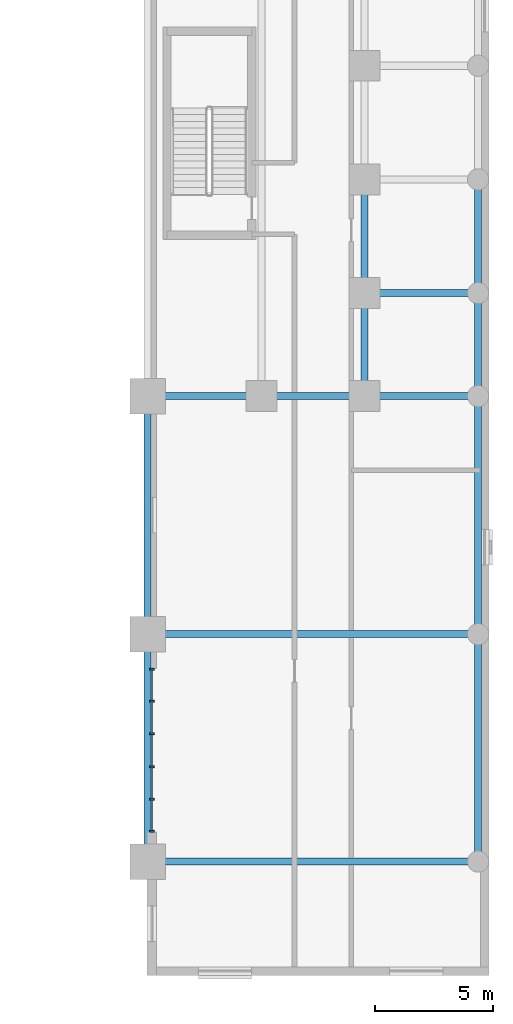
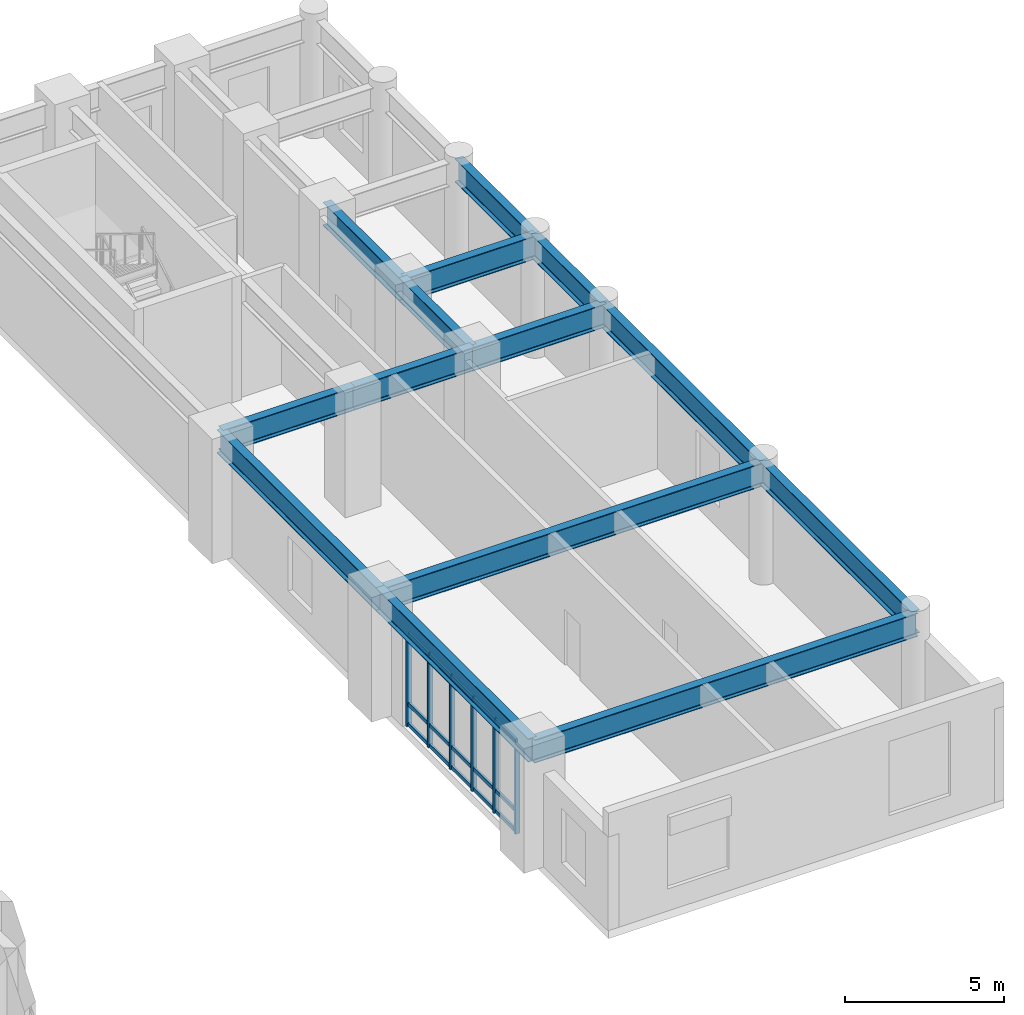
# One storey, part 4 of 11: 21 members, 14 beams, 1 element without a shape of its own.
"""IFC4 building model written with IfcOpenShell, lengths in metres."""

from ifc_helpers import new_model, si_unit, direction, frame, origin, origin_2d, place, context, subcontext, project, spatial, rectangle, i_section, extrude, material, material_profile, profile_set, type_object, element, aggregate, save


model = new_model("IFC4")

# Units and contexts
model_context = context("Model", 3, precision=1e-05, world=origin(), true_north=direction((0.0, 1.0)))
body_context = subcontext(model_context, "Body", "Model", "MODEL_VIEW")
ifc_project = project(units=[si_unit("LENGTHUNIT", "METRE"), si_unit("AREAUNIT", "SQUARE_METRE"), si_unit("VOLUMEUNIT", "CUBIC_METRE"), si_unit("PLANEANGLEUNIT", "RADIAN"), si_unit("MASSUNIT", "GRAM", prefix="KILO")], contexts=[model_context])

# Site, building, storey
site_placement = place(None, origin())
site = spatial("IfcSite", under=ifc_project, at=site_placement, CompositionType="ELEMENT")
building_placement = place(site_placement, origin())
building = spatial("IfcBuilding", under=site, at=building_placement, Name="Orvandelia Arch Residences", CompositionType="ELEMENT")
storey_placement = place(building_placement, frame((0.0, 0.0, 5.199951171875)))
storey = spatial("IfcBuildingStorey", under=building, at=storey_placement, Name="L01", CompositionType="ELEMENT", Elevation=5.199951171875)

# Beams
ifc_material_1 = material(Name="Structural Steel HSA650 (650 MPa)", Category="steel")
ifc_material_profile_1 = material_profile(ifc_material_1, i_section(OverallWidth=0.300048828125, OverallDepth=0.89990234375, WebThickness=0.01611328125, FlangeThickness=0.028076171875, FilletRadius=0.028076171875, at=origin_2d()), Name="Structural Steel HSA650 (650 MPa)", Category="steel")
ifc_profile_set_1 = profile_set([ifc_material_profile_1], Name="Structural Steel HSA650 (650 MPa)")
beam_type = type_object("IfcBeamType", Name="BM-GRD-H900", PredefinedType="BEAM", material=ifc_profile_set_1)
beam_1_placement = place(storey_placement, frame((43.199951171875, 9.60009765625, 4.070068359375), z_axis=(0.0, 1.0, 0.0), x_axis=(-1.0, 0.0, 0.0)))
element("IfcBeam", 1, at=beam_1_placement, inside=storey, type_object=beam_type, Name="Structural Frame Beam L01-NS-022", PredefinedType="BEAM", context=body_context, shape_type="SweptSolid", body=[
    extrude(i_section(OverallWidth=0.300048828125, OverallDepth=0.89990234375, WebThickness=0.01611328125, FlangeThickness=0.028076171875, FilletRadius=0.028076171875, at=origin_2d()), origin(), (0.0, 0.0, 1.0), 9.599853515625),
])
beam_2_placement = place(storey_placement, frame((43.199951171875, 19.199951171875, 4.070068359375), z_axis=(0.0, 1.0, 0.0), x_axis=(-1.0, 0.0, 0.0)))
element("IfcBeam", 2, at=beam_2_placement, inside=storey, type_object=beam_type, Name="Structural Frame Beam L01-NS-023", PredefinedType="BEAM", context=body_context, shape_type="SweptSolid", body=[
    extrude(i_section(OverallWidth=0.300048828125, OverallDepth=0.89990234375, WebThickness=0.01611328125, FlangeThickness=0.028076171875, FilletRadius=0.028076171875, at=origin_2d()), origin(), (0.0, 0.0, 1.0), 10.050048828125),
])
beam_3_placement = place(storey_placement, frame((52.35009765625, 29.25, 4.070068359375), z_axis=(0.0, 1.0, 0.0), x_axis=(-1.0, 0.0, 0.0)))
element("IfcBeam", 3, at=beam_3_placement, inside=storey, type_object=beam_type, Name="Structural Frame Beam L01-NS-026", PredefinedType="BEAM", context=body_context, shape_type="SweptSolid", body=[
    extrude(i_section(OverallWidth=0.300048828125, OverallDepth=0.89990234375, WebThickness=0.01611328125, FlangeThickness=0.028076171875, FilletRadius=0.028076171875, at=origin_2d()), origin(), (0.0, 0.0, 1.0), 4.35009765625),
])
beam_4_placement = place(storey_placement, frame((52.35009765625, 33.60009765625, 4.070068359375), z_axis=(0.0, 1.0, 0.0), x_axis=(-1.0, 0.0, 0.0)))
element("IfcBeam", 4, at=beam_4_placement, inside=storey, type_object=beam_type, Name="Structural Frame Beam L01-NS-027", PredefinedType="BEAM", context=body_context, shape_type="SweptSolid", body=[
    extrude(i_section(OverallWidth=0.300048828125, OverallDepth=0.89990234375, WebThickness=0.01611328125, FlangeThickness=0.028076171875, FilletRadius=0.028076171875, at=origin_2d()), origin(), (0.0, 0.0, 1.0), 4.7998046875),
])
beam_5_placement = place(storey_placement, frame((57.14990234375, 9.60009765625, 4.070068359375), z_axis=(0.0, 1.0, 0.0), x_axis=(-1.0, 0.0, 0.0)))
element("IfcBeam", 5, at=beam_5_placement, inside=storey, type_object=beam_type, Name="Structural Frame Beam L01-NS-030", PredefinedType="BEAM", context=body_context, shape_type="SweptSolid", body=[
    extrude(i_section(OverallWidth=0.300048828125, OverallDepth=0.89990234375, WebThickness=0.01611328125, FlangeThickness=0.028076171875, FilletRadius=0.028076171875, at=origin_2d()), origin(), (0.0, 0.0, 1.0), 9.599853515625),
])
beam_6_placement = place(storey_placement, frame((57.14990234375, 19.199951171875, 4.070068359375), z_axis=(0.0, 1.0, 0.0), x_axis=(-1.0, 0.0, 0.0)))
element("IfcBeam", 6, at=beam_6_placement, inside=storey, type_object=beam_type, Name="Structural Frame Beam L01-NS-031", PredefinedType="BEAM", context=body_context, shape_type="SweptSolid", body=[
    extrude(i_section(OverallWidth=0.300048828125, OverallDepth=0.89990234375, WebThickness=0.01611328125, FlangeThickness=0.028076171875, FilletRadius=0.028076171875, at=origin_2d()), origin(), (0.0, 0.0, 1.0), 10.050048828125),
])
beam_7_placement = place(storey_placement, frame((57.14990234375, 29.25, 4.070068359375), z_axis=(0.0, 1.0, 0.0), x_axis=(-1.0, 0.0, 0.0)))
element("IfcBeam", 7, at=beam_7_placement, inside=storey, type_object=beam_type, Name="Structural Frame Beam L01-NS-032", PredefinedType="BEAM", context=body_context, shape_type="SweptSolid", body=[
    extrude(i_section(OverallWidth=0.300048828125, OverallDepth=0.89990234375, WebThickness=0.01611328125, FlangeThickness=0.028076171875, FilletRadius=0.028076171875, at=origin_2d()), origin(), (0.0, 0.0, 1.0), 4.35009765625),
])
beam_8_placement = place(storey_placement, frame((57.14990234375, 33.60009765625, 4.070068359375), z_axis=(0.0, 1.0, 0.0), x_axis=(-1.0, 0.0, 0.0)))
element("IfcBeam", 8, at=beam_8_placement, inside=storey, type_object=beam_type, Name="Structural Frame Beam L01-NS-033", PredefinedType="BEAM", context=body_context, shape_type="SweptSolid", body=[
    extrude(i_section(OverallWidth=0.300048828125, OverallDepth=0.89990234375, WebThickness=0.01611328125, FlangeThickness=0.028076171875, FilletRadius=0.028076171875, at=origin_2d()), origin(), (0.0, 0.0, 1.0), 4.7998046875),
])
for number, where, z_axis, x_axis, name in (
    (9, (43.199951171875, 9.60009765625, 4.070068359375), (1.0, 0.0, 0.0), (0.0, 1.0, 0.0), "Structural Frame Girder L01-EW-040"),
    (10, (43.199951171875, 19.199951171875, 4.070068359375), (1.0, 0.0, 0.0), (0.0, 1.0, 0.0), "Structural Frame Girder L01-EW-044"),
):
    element("IfcBeam", number, at=place(storey_placement, frame(where, z_axis=z_axis, x_axis=x_axis)), inside=storey, type_object=beam_type, Name=name, PredefinedType="BEAM", context=body_context, shape_type="SweptSolid", body=[
        extrude(i_section(OverallWidth=0.300048828125, OverallDepth=0.89990234375, WebThickness=0.01611328125, FlangeThickness=0.028076171875, FilletRadius=0.028076171875, at=origin_2d()), origin(), (0.0, 0.0, 1.0), 13.949951171875),
    ])
beam_9_placement = place(storey_placement, frame((43.199951171875, 29.25, 4.070068359375), z_axis=(1.0, 0.0, 0.0), x_axis=(0.0, 1.0, 0.0)))
element("IfcBeam", 11, at=beam_9_placement, inside=storey, type_object=beam_type, Name="Structural Frame Girder L01-EW-048", PredefinedType="BEAM", context=body_context, shape_type="SweptSolid", body=[
    extrude(i_section(OverallWidth=0.300048828125, OverallDepth=0.89990234375, WebThickness=0.01611328125, FlangeThickness=0.028076171875, FilletRadius=0.028076171875, at=origin_2d()), origin(), (0.0, 0.0, 1.0), 4.800048828125),
])
beam_10_placement = place(storey_placement, frame((48.0, 29.25, 4.070068359375), z_axis=(1.0, 0.0, 0.0), x_axis=(0.0, 1.0, 0.0)))
element("IfcBeam", 12, at=beam_10_placement, inside=storey, type_object=beam_type, Name="Structural Frame Girder L01-EW-049", PredefinedType="BEAM", context=body_context, shape_type="SweptSolid", body=[
    extrude(i_section(OverallWidth=0.300048828125, OverallDepth=0.89990234375, WebThickness=0.01611328125, FlangeThickness=0.028076171875, FilletRadius=0.028076171875, at=origin_2d()), origin(), (0.0, 0.0, 1.0), 4.35009765625),
])
for number, where, z_axis, x_axis, name in (
    (13, (52.35009765625, 29.25, 4.070068359375), (1.0, 0.0, 0.0), (0.0, 1.0, 0.0), "Structural Frame Girder L01-EW-050"),
    (14, (52.35009765625, 33.60009765625, 4.070068359375), (1.0, 0.0, 0.0), (0.0, 1.0, 0.0), "Structural Frame Girder L01-EW-053"),
):
    element("IfcBeam", number, at=place(storey_placement, frame(where, z_axis=z_axis, x_axis=x_axis)), inside=storey, type_object=beam_type, Name=name, PredefinedType="BEAM", context=body_context, shape_type="SweptSolid", body=[
        extrude(i_section(OverallWidth=0.300048828125, OverallDepth=0.89990234375, WebThickness=0.01611328125, FlangeThickness=0.028076171875, FilletRadius=0.028076171875, at=origin_2d()), origin(), (0.0, 0.0, 1.0), 4.7998046875),
    ])

# Curtain wall, members
ifc_material_2 = material(Name="Anodised Bronze Curtain Wall Assembly")
curtain_wall_type = type_object("IfcCurtainWallType", Name="CW-SYS2-ARCH", PredefinedType="NOTDEFINED", material=ifc_material_2)
curtain_wall_placement = place(storey_placement, origin())
curtain_wall = element("IfcCurtainWall", 15, at=curtain_wall_placement, inside=storey, type_object=curtain_wall_type, Name="Arch East Cheek Glazing L01 6", PredefinedType="NOTDEFINED")
ifc_material_3 = material(Name="Anodised Aluminium Alloy 6063-T6", Category="aluminium")
ifc_material_profile_2 = material_profile(ifc_material_3, rectangle(XDim=0.080078125, YDim=0.179931640625, at=origin_2d()), Name="Anodised Aluminium Alloy 6063-T6", Category="aluminium")
ifc_profile_set_2 = profile_set([ifc_material_profile_2], Name="Anodised Aluminium Alloy 6063-T6")
member_type_1 = type_object("IfcMemberType", Name="CW-MULLION-80x160", PredefinedType="MULLION", material=ifc_profile_set_2)
member_1_placement = place(storey_placement, frame((43.3798828125, 10.8798828125, 0.0), z_axis=(0.0, 0.0, 1.0), x_axis=(0.0, 1.0, 0.0)))
member_1 = element("IfcMember", 16, at=member_1_placement, type_object=member_type_1, Name="Curtain Wall Mullion CW-L01-6-M1", PredefinedType="MULLION", context=body_context, shape_type="SweptSolid", body=[
    extrude(rectangle(XDim=0.080078125, YDim=0.179931640625, at=origin_2d()), origin(), (0.0, 0.0, 1.0), 3.6201171875),
])
member_2_placement = place(storey_placement, frame((43.3798828125, 12.22412109375, 0.0), z_axis=(0.0, 0.0, 1.0), x_axis=(0.0, 1.0, 0.0)))
member_2 = element("IfcMember", 17, at=member_2_placement, type_object=member_type_1, Name="Curtain Wall Mullion CW-L01-6-M2", PredefinedType="MULLION", context=body_context, shape_type="SweptSolid", body=[
    extrude(rectangle(XDim=0.080078125, YDim=0.179931640625, at=origin_2d()), origin(), (0.0, 0.0, 1.0), 3.6201171875),
])
member_3_placement = place(storey_placement, frame((43.3798828125, 13.60791015625, 0.0), z_axis=(0.0, 0.0, 1.0), x_axis=(0.0, 1.0, 0.0)))
member_3 = element("IfcMember", 18, at=member_3_placement, type_object=member_type_1, Name="Curtain Wall Mullion CW-L01-6-M3", PredefinedType="MULLION", context=body_context, shape_type="SweptSolid", body=[
    extrude(rectangle(XDim=0.080078125, YDim=0.179931640625, at=origin_2d()), origin(), (0.0, 0.0, 1.0), 3.6201171875),
])
member_4_placement = place(storey_placement, frame((43.3798828125, 14.991943359375, 0.0), z_axis=(0.0, 0.0, 1.0), x_axis=(0.0, 1.0, 0.0)))
member_4 = element("IfcMember", 19, at=member_4_placement, type_object=member_type_1, Name="Curtain Wall Mullion CW-L01-6-M4", PredefinedType="MULLION", context=body_context, shape_type="SweptSolid", body=[
    extrude(rectangle(XDim=0.080078125, YDim=0.179931640625, at=origin_2d()), origin(), (0.0, 0.0, 1.0), 3.6201171875),
])
member_5_placement = place(storey_placement, frame((43.3798828125, 16.3759765625, 0.0), z_axis=(0.0, 0.0, 1.0), x_axis=(0.0, 1.0, 0.0)))
member_5 = element("IfcMember", 20, at=member_5_placement, type_object=member_type_1, Name="Curtain Wall Mullion CW-L01-6-M5", PredefinedType="MULLION", context=body_context, shape_type="SweptSolid", body=[
    extrude(rectangle(XDim=0.080078125, YDim=0.179931640625, at=origin_2d()), origin(), (0.0, 0.0, 1.0), 3.6201171875),
])
member_6_placement = place(storey_placement, frame((43.3798828125, 17.719970703125, 0.0), z_axis=(0.0, 0.0, 1.0), x_axis=(0.0, 1.0, 0.0)))
member_6 = element("IfcMember", 21, at=member_6_placement, type_object=member_type_1, Name="Curtain Wall Mullion CW-L01-6-M6", PredefinedType="MULLION", context=body_context, shape_type="SweptSolid", body=[
    extrude(rectangle(XDim=0.080078125, YDim=0.179931640625, at=origin_2d()), origin(), (0.0, 0.0, 1.0), 3.6201171875),
])
ifc_material_profile_3 = material_profile(ifc_material_3, rectangle(XDim=0.080078125, YDim=0.139892578125, at=origin_2d()), Name="Anodised Aluminium Alloy 6063-T6", Category="aluminium")
ifc_profile_set_3 = profile_set([ifc_material_profile_3], Name="Anodised Aluminium Alloy 6063-T6")
member_type_2 = type_object("IfcMemberType", Name="CW-TRANSOM-80x140", PredefinedType="USERDEFINED", material=ifc_profile_set_3)
member_7_placement = place(storey_placement, frame((43.3798828125, 10.905029296875, 0.070068359375), z_axis=(0.0, 1.0, 0.0), x_axis=(-1.0, 0.0, 0.0)))
member_7 = element("IfcMember", 22, at=member_7_placement, type_object=member_type_2, Name="Curtain Wall Transom CW-L01-6-T1-1", ObjectType="TRANSOM", PredefinedType="USERDEFINED", context=body_context, shape_type="SweptSolid", body=[
    extrude(rectangle(XDim=0.080078125, YDim=0.139892578125, at=origin_2d()), origin(), (0.0, 0.0, 1.0), 1.2939453125),
])
member_8_placement = place(storey_placement, frame((43.3798828125, 10.905029296875, 0.85009765625), z_axis=(0.0, 1.0, 0.0), x_axis=(-1.0, 0.0, 0.0)))
member_8 = element("IfcMember", 23, at=member_8_placement, type_object=member_type_2, Name="Curtain Wall Transom CW-L01-6-T1-2", ObjectType="TRANSOM", PredefinedType="USERDEFINED", context=body_context, shape_type="SweptSolid", body=[
    extrude(rectangle(XDim=0.080078125, YDim=0.139892578125, at=origin_2d()), origin(), (0.0, 0.0, 1.0), 1.2939453125),
])
member_9_placement = place(storey_placement, frame((43.3798828125, 10.905029296875, 3.550048828125), z_axis=(0.0, 1.0, 0.0), x_axis=(-1.0, 0.0, 0.0)))
member_9 = element("IfcMember", 24, at=member_9_placement, type_object=member_type_2, Name="Curtain Wall Transom CW-L01-6-T1-3", ObjectType="TRANSOM", PredefinedType="USERDEFINED", context=body_context, shape_type="SweptSolid", body=[
    extrude(rectangle(XDim=0.080078125, YDim=0.139892578125, at=origin_2d()), origin(), (0.0, 0.0, 1.0), 1.2939453125),
])
member_10_placement = place(storey_placement, frame((43.3798828125, 12.2490234375, 0.070068359375), z_axis=(0.0, 1.0, 0.0), x_axis=(-1.0, 0.0, 0.0)))
member_10 = element("IfcMember", 25, at=member_10_placement, type_object=member_type_2, Name="Curtain Wall Transom CW-L01-6-T2-1", ObjectType="TRANSOM", PredefinedType="USERDEFINED", context=body_context, shape_type="SweptSolid", body=[
    extrude(rectangle(XDim=0.080078125, YDim=0.139892578125, at=origin_2d()), origin(), (0.0, 0.0, 1.0), 1.333984375),
])
member_11_placement = place(storey_placement, frame((43.3798828125, 12.2490234375, 0.85009765625), z_axis=(0.0, 1.0, 0.0), x_axis=(-1.0, 0.0, 0.0)))
member_11 = element("IfcMember", 26, at=member_11_placement, type_object=member_type_2, Name="Curtain Wall Transom CW-L01-6-T2-2", ObjectType="TRANSOM", PredefinedType="USERDEFINED", context=body_context, shape_type="SweptSolid", body=[
    extrude(rectangle(XDim=0.080078125, YDim=0.139892578125, at=origin_2d()), origin(), (0.0, 0.0, 1.0), 1.333984375),
])
member_12_placement = place(storey_placement, frame((43.3798828125, 12.2490234375, 3.550048828125), z_axis=(0.0, 1.0, 0.0), x_axis=(-1.0, 0.0, 0.0)))
member_12 = element("IfcMember", 27, at=member_12_placement, type_object=member_type_2, Name="Curtain Wall Transom CW-L01-6-T2-3", ObjectType="TRANSOM", PredefinedType="USERDEFINED", context=body_context, shape_type="SweptSolid", body=[
    extrude(rectangle(XDim=0.080078125, YDim=0.139892578125, at=origin_2d()), origin(), (0.0, 0.0, 1.0), 1.333984375),
])
member_13_placement = place(storey_placement, frame((43.3798828125, 13.633056640625, 0.070068359375), z_axis=(0.0, 1.0, 0.0), x_axis=(-1.0, 0.0, 0.0)))
member_13 = element("IfcMember", 28, at=member_13_placement, type_object=member_type_2, Name="Curtain Wall Transom CW-L01-6-T3-1", ObjectType="TRANSOM", PredefinedType="USERDEFINED", context=body_context, shape_type="SweptSolid", body=[
    extrude(rectangle(XDim=0.080078125, YDim=0.139892578125, at=origin_2d()), origin(), (0.0, 0.0, 1.0), 1.333984375),
])
member_14_placement = place(storey_placement, frame((43.3798828125, 13.633056640625, 0.85009765625), z_axis=(0.0, 1.0, 0.0), x_axis=(-1.0, 0.0, 0.0)))
member_14 = element("IfcMember", 29, at=member_14_placement, type_object=member_type_2, Name="Curtain Wall Transom CW-L01-6-T3-2", ObjectType="TRANSOM", PredefinedType="USERDEFINED", context=body_context, shape_type="SweptSolid", body=[
    extrude(rectangle(XDim=0.080078125, YDim=0.139892578125, at=origin_2d()), origin(), (0.0, 0.0, 1.0), 1.333984375),
])
member_15_placement = place(storey_placement, frame((43.3798828125, 13.633056640625, 3.550048828125), z_axis=(0.0, 1.0, 0.0), x_axis=(-1.0, 0.0, 0.0)))
member_15 = element("IfcMember", 30, at=member_15_placement, type_object=member_type_2, Name="Curtain Wall Transom CW-L01-6-T3-3", ObjectType="TRANSOM", PredefinedType="USERDEFINED", context=body_context, shape_type="SweptSolid", body=[
    extrude(rectangle(XDim=0.080078125, YDim=0.139892578125, at=origin_2d()), origin(), (0.0, 0.0, 1.0), 1.333984375),
])
member_16_placement = place(storey_placement, frame((43.3798828125, 15.01708984375, 0.070068359375), z_axis=(0.0, 1.0, 0.0), x_axis=(-1.0, 0.0, 0.0)))
member_16 = element("IfcMember", 31, at=member_16_placement, type_object=member_type_2, Name="Curtain Wall Transom CW-L01-6-T4-1", ObjectType="TRANSOM", PredefinedType="USERDEFINED", context=body_context, shape_type="SweptSolid", body=[
    extrude(rectangle(XDim=0.080078125, YDim=0.139892578125, at=origin_2d()), origin(), (0.0, 0.0, 1.0), 1.333984375),
])
member_17_placement = place(storey_placement, frame((43.3798828125, 15.01708984375, 0.85009765625), z_axis=(0.0, 1.0, 0.0), x_axis=(-1.0, 0.0, 0.0)))
member_17 = element("IfcMember", 32, at=member_17_placement, type_object=member_type_2, Name="Curtain Wall Transom CW-L01-6-T4-2", ObjectType="TRANSOM", PredefinedType="USERDEFINED", context=body_context, shape_type="SweptSolid", body=[
    extrude(rectangle(XDim=0.080078125, YDim=0.139892578125, at=origin_2d()), origin(), (0.0, 0.0, 1.0), 1.333984375),
])
member_18_placement = place(storey_placement, frame((43.3798828125, 15.01708984375, 3.550048828125), z_axis=(0.0, 1.0, 0.0), x_axis=(-1.0, 0.0, 0.0)))
member_18 = element("IfcMember", 33, at=member_18_placement, type_object=member_type_2, Name="Curtain Wall Transom CW-L01-6-T4-3", ObjectType="TRANSOM", PredefinedType="USERDEFINED", context=body_context, shape_type="SweptSolid", body=[
    extrude(rectangle(XDim=0.080078125, YDim=0.139892578125, at=origin_2d()), origin(), (0.0, 0.0, 1.0), 1.333984375),
])
member_19_placement = place(storey_placement, frame((43.3798828125, 16.40087890625, 0.070068359375), z_axis=(0.0, 1.0, 0.0), x_axis=(-1.0, 0.0, 0.0)))
member_19 = element("IfcMember", 34, at=member_19_placement, type_object=member_type_2, Name="Curtain Wall Transom CW-L01-6-T5-1", ObjectType="TRANSOM", PredefinedType="USERDEFINED", context=body_context, shape_type="SweptSolid", body=[
    extrude(rectangle(XDim=0.080078125, YDim=0.139892578125, at=origin_2d()), origin(), (0.0, 0.0, 1.0), 1.294189453125),
])
member_20_placement = place(storey_placement, frame((43.3798828125, 16.40087890625, 0.85009765625), z_axis=(0.0, 1.0, 0.0), x_axis=(-1.0, 0.0, 0.0)))
member_20 = element("IfcMember", 35, at=member_20_placement, type_object=member_type_2, Name="Curtain Wall Transom CW-L01-6-T5-2", ObjectType="TRANSOM", PredefinedType="USERDEFINED", context=body_context, shape_type="SweptSolid", body=[
    extrude(rectangle(XDim=0.080078125, YDim=0.139892578125, at=origin_2d()), origin(), (0.0, 0.0, 1.0), 1.294189453125),
])
member_21_placement = place(storey_placement, frame((43.3798828125, 16.40087890625, 3.550048828125), z_axis=(0.0, 1.0, 0.0), x_axis=(-1.0, 0.0, 0.0)))
member_21 = element("IfcMember", 36, at=member_21_placement, type_object=member_type_2, Name="Curtain Wall Transom CW-L01-6-T5-3", ObjectType="TRANSOM", PredefinedType="USERDEFINED", context=body_context, shape_type="SweptSolid", body=[
    extrude(rectangle(XDim=0.080078125, YDim=0.139892578125, at=origin_2d()), origin(), (0.0, 0.0, 1.0), 1.294189453125),
])
aggregate(curtain_wall, [member_1, member_2, member_3, member_4, member_5, member_6, member_7, member_8, member_9, member_10, member_11, member_12, member_13, member_14, member_15, member_16, member_17, member_18, member_19, member_20, member_21])

save(model, "model.ifc")
